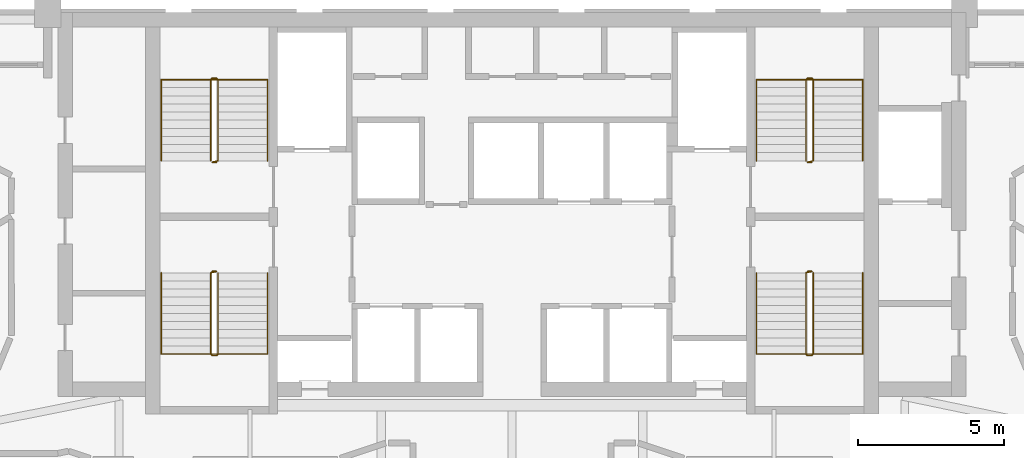
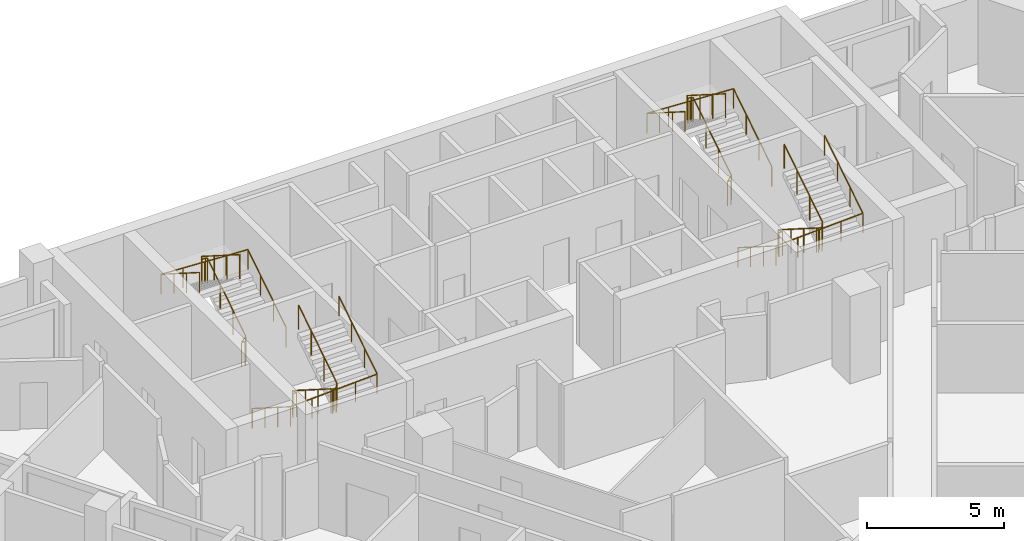
# One storey, part 10 of 10: 8 railings.
"""IFC4 building model written with IfcOpenShell, lengths in metres."""

from ifc_helpers import new_model, si_unit, direction, frame, origin, origin_2d, place, context, subcontext, project, spatial, circle, extrude, material, type_object, element, save


model = new_model("IFC4")

# Units and contexts
model_context = context("Model", 3, precision=1e-05, world=origin(), true_north=direction((0.0, 1.0)))
body_context = subcontext(model_context, "Body", "Model", "MODEL_VIEW")
ifc_project = project(units=[si_unit("LENGTHUNIT", "METRE"), si_unit("AREAUNIT", "SQUARE_METRE"), si_unit("VOLUMEUNIT", "CUBIC_METRE"), si_unit("PLANEANGLEUNIT", "RADIAN"), si_unit("MASSUNIT", "GRAM", prefix="KILO")], contexts=[model_context])

# Site, building, storey
site_placement = place(None, origin())
site = spatial("IfcSite", under=ifc_project, at=site_placement, CompositionType="ELEMENT")
building_placement = place(site_placement, origin())
building = spatial("IfcBuilding", under=site, at=building_placement, Name="Calabash Gate Tower", CompositionType="ELEMENT")
storey_placement = place(building_placement, frame((0.0, 0.0, 148.5)))
storey = spatial("IfcBuildingStorey", under=building, at=storey_placement, Name="L34", CompositionType="ELEMENT", Elevation=148.5)

# Railings
ifc_material_1 = material(Name="Black powder-coated steel balusters", Category="steel")
railing_type_1 = type_object("IfcRailingType", Name="Stair guard RL1100", PredefinedType="GUARDRAIL", material=ifc_material_1)
railing_1_placement = place(storey_placement, frame((-10.14990234375, 13.902587890625, 0.0)))
element("IfcRailing", 1, at=railing_1_placement, inside=storey, type_object=railing_type_1, Name="L34 ST1 stair guard 1", PredefinedType="GUARDRAIL", context=body_context, shape_type="SweptSolid", body=[
    extrude(circle(Radius=0.02392578125, at=origin_2d()), frame((0.0, 0.0, 1.076171875), z_axis=(-1.0, 0.0, 0.0), x_axis=(0.0, -1.0, 0.0)), (0.0, 0.0, 1.0), 0.150146484375),
    extrude(circle(Radius=0.02392578125, at=origin_2d()), frame((-0.150146484375, 0.0, 1.076171875), z_axis=(0.735524641326, 0.184105679453, 0.652003528208), x_axis=(-0.242814311512, 0.970072785993, 0.0)), (0.0, 0.0, 1.0), 0.271728515625),
    extrude(circle(Radius=0.02392578125, at=origin_2d()), frame((0.0498046875, 0.050048828125, 1.25341796875), z_axis=(0.0, 0.844041424197, 0.536277982245), x_axis=(-1.0, 0.0, 0.0)), (0.0, 0.0, 1.0), 3.3056640625),
    extrude(circle(Radius=0.02392578125, at=origin_2d()), frame((0.0498046875, 2.840087890625, 3.02587890625), z_axis=(-0.707106781187, 0.707106781187, 0.0), x_axis=(-0.707106781187, -0.707106781187, 0.0)), (0.0, 0.0, 1.0), 0.0703125),
    extrude(circle(Radius=0.02392578125, at=origin_2d()), frame((0.0, 2.889892578125, 3.02587890625), z_axis=(-1.0, 0.0, 0.0), x_axis=(0.0, -1.0, 0.0)), (0.0, 0.0, 1.0), 0.150146484375),
    extrude(circle(Radius=0.02392578125, at=origin_2d()), frame((-0.150146484375, 2.889892578125, 3.02587890625), z_axis=(-0.262321481514, -0.261041864531, 0.929001929653), x_axis=(0.705375805398, -0.708833529934, 0.0)), (0.0, 0.0, 1.0), 0.190673828125),
    extrude(circle(Radius=0.02392578125, at=origin_2d()), frame((-0.2001953125, 2.840087890625, 3.203125), z_axis=(0.0, -0.844041424197, 0.536277982245), x_axis=(1.0, 0.0, 0.0)), (0.0, 0.0, 1.0), 3.3056640625),
    extrude(circle(Radius=0.02099609375, at=origin_2d()), origin(), (0.0, 0.0, 1.0), 1.052001953125),
    extrude(circle(Radius=0.02099609375, at=origin_2d()), frame((-0.150146484375, 0.0, 0.0)), (0.0, 0.0, 1.0), 1.052001953125),
    extrude(circle(Radius=0.02099609375, at=origin_2d()), frame((0.0498046875, 0.050048828125, 0.17724609375)), (0.0, 0.0, 1.0), 1.052001953125),
    extrude(circle(Radius=0.02099609375, at=origin_2d()), frame((0.0498046875, 0.97998046875, 0.76806640625)), (0.0, 0.0, 1.0), 1.052001953125),
    extrude(circle(Radius=0.02099609375, at=origin_2d()), frame((0.0498046875, 1.91015625, 1.359130859375)), (0.0, 0.0, 1.0), 1.052001953125),
    extrude(circle(Radius=0.02099609375, at=origin_2d()), frame((0.0498046875, 2.840087890625, 1.949951171875)), (0.0, 0.0, 1.0), 1.052001953125),
    extrude(circle(Radius=0.02099609375, at=origin_2d()), frame((0.0, 2.889892578125, 1.949951171875)), (0.0, 0.0, 1.0), 1.052001953125),
    extrude(circle(Radius=0.02099609375, at=origin_2d()), frame((-0.150146484375, 2.889892578125, 1.949951171875)), (0.0, 0.0, 1.0), 1.052001953125),
    extrude(circle(Radius=0.02099609375, at=origin_2d()), frame((-0.2001953125, 2.840087890625, 2.127197265625)), (0.0, 0.0, 1.0), 1.052001953125),
    extrude(circle(Radius=0.02099609375, at=origin_2d()), frame((-0.2001953125, 1.91015625, 2.718017578125)), (0.0, 0.0, 1.0), 1.052001953125),
    extrude(circle(Radius=0.02099609375, at=origin_2d()), frame((-0.2001953125, 0.97998046875, 3.30908203125)), (0.0, 0.0, 1.0), 1.052001953125),
    extrude(circle(Radius=0.02099609375, at=origin_2d()), frame((-0.2001953125, 0.050048828125, 3.89990234375)), (0.0, 0.0, 1.0), 1.052001953125),
])
railing_2_placement = place(storey_placement, frame((-10.300048828125, 10.152587890625, 0.0)))
element("IfcRailing", 2, at=railing_2_placement, inside=storey, type_object=railing_type_1, Name="L34 ST2 stair guard 1", PredefinedType="GUARDRAIL", context=body_context, shape_type="SweptSolid", body=[
    extrude(circle(Radius=0.02392578125, at=origin_2d()), frame((0.0, 0.0, 1.076171875), z_axis=(1.0, 0.0, 0.0), x_axis=(0.0, 1.0, 0.0)), (0.0, 0.0, 1.0), 0.150146484375),
    extrude(circle(Radius=0.02392578125, at=origin_2d()), frame((0.150146484375, 0.0, 1.076171875), z_axis=(-0.735936453418, -0.183984113355, 0.651573006319), x_axis=(0.242535625036, -0.970142500145, 0.0)), (0.0, 0.0, 1.0), 0.27197265625),
    extrude(circle(Radius=0.02392578125, at=origin_2d()), frame((-0.050048828125, -0.050048828125, 1.25341796875), z_axis=(0.0, -0.844041424197, 0.536277982245), x_axis=(1.0, 0.0, 0.0)), (0.0, 0.0, 1.0), 3.3056640625),
    extrude(circle(Radius=0.02392578125, at=origin_2d()), frame((-0.050048828125, -2.840087890625, 3.02587890625), z_axis=(0.708833529934, -0.705375805398, 0.0), x_axis=(0.705375805398, 0.708833529934, 0.0)), (0.0, 0.0, 1.0), 0.070556640625),
    extrude(circle(Radius=0.02392578125, at=origin_2d()), frame((0.0, -2.889892578125, 3.02587890625), z_axis=(1.0, 0.0, 0.0), x_axis=(0.0, 1.0, 0.0)), (0.0, 0.0, 1.0), 0.150146484375),
    extrude(circle(Radius=0.02392578125, at=origin_2d()), frame((0.150146484375, -2.889892578125, 3.02587890625), z_axis=(0.261129318932, 0.261129318932, 0.929313164433), x_axis=(-0.707106781187, 0.707106781187, 0.0)), (0.0, 0.0, 1.0), 0.190673828125),
    extrude(circle(Radius=0.02392578125, at=origin_2d()), frame((0.199951171875, -2.840087890625, 3.203125), z_axis=(0.0, 0.844041424197, 0.536277982245), x_axis=(-1.0, 0.0, 0.0)), (0.0, 0.0, 1.0), 3.3056640625),
    extrude(circle(Radius=0.02099609375, at=origin_2d()), origin(), (0.0, 0.0, 1.0), 1.052001953125),
    extrude(circle(Radius=0.02099609375, at=origin_2d()), frame((0.150146484375, 0.0, 0.0)), (0.0, 0.0, 1.0), 1.052001953125),
    extrude(circle(Radius=0.02099609375, at=origin_2d()), frame((-0.050048828125, -0.050048828125, 0.17724609375)), (0.0, 0.0, 1.0), 1.052001953125),
    extrude(circle(Radius=0.02099609375, at=origin_2d()), frame((-0.050048828125, -0.97998046875, 0.76806640625)), (0.0, 0.0, 1.0), 1.052001953125),
    extrude(circle(Radius=0.02099609375, at=origin_2d()), frame((-0.050048828125, -1.91015625, 1.359130859375)), (0.0, 0.0, 1.0), 1.052001953125),
    extrude(circle(Radius=0.02099609375, at=origin_2d()), frame((-0.050048828125, -2.840087890625, 1.949951171875)), (0.0, 0.0, 1.0), 1.052001953125),
    extrude(circle(Radius=0.02099609375, at=origin_2d()), frame((0.0, -2.889892578125, 1.949951171875)), (0.0, 0.0, 1.0), 1.052001953125),
    extrude(circle(Radius=0.02099609375, at=origin_2d()), frame((0.150146484375, -2.889892578125, 1.949951171875)), (0.0, 0.0, 1.0), 1.052001953125),
    extrude(circle(Radius=0.02099609375, at=origin_2d()), frame((0.199951171875, -2.840087890625, 2.127197265625)), (0.0, 0.0, 1.0), 1.052001953125),
    extrude(circle(Radius=0.02099609375, at=origin_2d()), frame((0.199951171875, -1.91015625, 2.718017578125)), (0.0, 0.0, 1.0), 1.052001953125),
    extrude(circle(Radius=0.02099609375, at=origin_2d()), frame((0.199951171875, -0.97998046875, 3.30908203125)), (0.0, 0.0, 1.0), 1.052001953125),
    extrude(circle(Radius=0.02099609375, at=origin_2d()), frame((0.199951171875, -0.050048828125, 3.89990234375)), (0.0, 0.0, 1.0), 1.052001953125),
])
railing_3_placement = place(storey_placement, frame((10.300048828125, 13.902587890625, 0.0)))
element("IfcRailing", 3, at=railing_3_placement, inside=storey, type_object=railing_type_1, Name="L34 ST3 stair guard 1", PredefinedType="GUARDRAIL", context=body_context, shape_type="SweptSolid", body=[
    extrude(circle(Radius=0.02392578125, at=origin_2d()), frame((0.0, 0.0, 1.076171875), z_axis=(-1.0, 0.0, 0.0), x_axis=(0.0, -1.0, 0.0)), (0.0, 0.0, 1.0), 0.150146484375),
    extrude(circle(Radius=0.02392578125, at=origin_2d()), frame((-0.150146484375, 0.0, 1.076171875), z_axis=(0.735936453418, 0.183984113355, 0.651573006319), x_axis=(-0.242535625036, 0.970142500145, 0.0)), (0.0, 0.0, 1.0), 0.27197265625),
    extrude(circle(Radius=0.02392578125, at=origin_2d()), frame((0.050048828125, 0.050048828125, 1.25341796875), z_axis=(0.0, 0.844041424197, 0.536277982245), x_axis=(-1.0, 0.0, 0.0)), (0.0, 0.0, 1.0), 3.3056640625),
    extrude(circle(Radius=0.02392578125, at=origin_2d()), frame((0.050048828125, 2.840087890625, 3.02587890625), z_axis=(-0.708833529934, 0.705375805398, 0.0), x_axis=(-0.705375805398, -0.708833529934, 0.0)), (0.0, 0.0, 1.0), 0.070556640625),
    extrude(circle(Radius=0.02392578125, at=origin_2d()), frame((0.0, 2.889892578125, 3.02587890625), z_axis=(-1.0, 0.0, 0.0), x_axis=(0.0, -1.0, 0.0)), (0.0, 0.0, 1.0), 0.150146484375),
    extrude(circle(Radius=0.02392578125, at=origin_2d()), frame((-0.150146484375, 2.889892578125, 3.02587890625), z_axis=(-0.261129318932, -0.261129318932, 0.929313164433), x_axis=(0.707106781187, -0.707106781187, 0.0)), (0.0, 0.0, 1.0), 0.190673828125),
    extrude(circle(Radius=0.02392578125, at=origin_2d()), frame((-0.199951171875, 2.840087890625, 3.203125), z_axis=(0.0, -0.844041424197, 0.536277982245), x_axis=(1.0, 0.0, 0.0)), (0.0, 0.0, 1.0), 3.3056640625),
    extrude(circle(Radius=0.02099609375, at=origin_2d()), origin(), (0.0, 0.0, 1.0), 1.052001953125),
    extrude(circle(Radius=0.02099609375, at=origin_2d()), frame((-0.150146484375, 0.0, 0.0)), (0.0, 0.0, 1.0), 1.052001953125),
    extrude(circle(Radius=0.02099609375, at=origin_2d()), frame((0.050048828125, 0.050048828125, 0.17724609375)), (0.0, 0.0, 1.0), 1.052001953125),
    extrude(circle(Radius=0.02099609375, at=origin_2d()), frame((0.050048828125, 0.97998046875, 0.76806640625)), (0.0, 0.0, 1.0), 1.052001953125),
    extrude(circle(Radius=0.02099609375, at=origin_2d()), frame((0.050048828125, 1.91015625, 1.359130859375)), (0.0, 0.0, 1.0), 1.052001953125),
    extrude(circle(Radius=0.02099609375, at=origin_2d()), frame((0.050048828125, 2.840087890625, 1.949951171875)), (0.0, 0.0, 1.0), 1.052001953125),
    extrude(circle(Radius=0.02099609375, at=origin_2d()), frame((0.0, 2.889892578125, 1.949951171875)), (0.0, 0.0, 1.0), 1.052001953125),
    extrude(circle(Radius=0.02099609375, at=origin_2d()), frame((-0.150146484375, 2.889892578125, 1.949951171875)), (0.0, 0.0, 1.0), 1.052001953125),
    extrude(circle(Radius=0.02099609375, at=origin_2d()), frame((-0.199951171875, 2.840087890625, 2.127197265625)), (0.0, 0.0, 1.0), 1.052001953125),
    extrude(circle(Radius=0.02099609375, at=origin_2d()), frame((-0.199951171875, 1.91015625, 2.718017578125)), (0.0, 0.0, 1.0), 1.052001953125),
    extrude(circle(Radius=0.02099609375, at=origin_2d()), frame((-0.199951171875, 0.97998046875, 3.30908203125)), (0.0, 0.0, 1.0), 1.052001953125),
    extrude(circle(Radius=0.02099609375, at=origin_2d()), frame((-0.199951171875, 0.050048828125, 3.89990234375)), (0.0, 0.0, 1.0), 1.052001953125),
])
railing_4_placement = place(storey_placement, frame((10.14990234375, 10.152587890625, 0.0)))
element("IfcRailing", 4, at=railing_4_placement, inside=storey, type_object=railing_type_1, Name="L34 ST4 stair guard 1", PredefinedType="GUARDRAIL", context=body_context, shape_type="SweptSolid", body=[
    extrude(circle(Radius=0.02392578125, at=origin_2d()), frame((0.0, 0.0, 1.076171875), z_axis=(1.0, 0.0, 0.0), x_axis=(0.0, 1.0, 0.0)), (0.0, 0.0, 1.0), 0.150146484375),
    extrude(circle(Radius=0.02392578125, at=origin_2d()), frame((0.150146484375, 0.0, 1.076171875), z_axis=(-0.735524641326, -0.184105679453, 0.652003528208), x_axis=(0.242814311512, -0.970072785993, 0.0)), (0.0, 0.0, 1.0), 0.271728515625),
    extrude(circle(Radius=0.02392578125, at=origin_2d()), frame((-0.0498046875, -0.050048828125, 1.25341796875), z_axis=(0.0, -0.844041424197, 0.536277982245), x_axis=(1.0, 0.0, 0.0)), (0.0, 0.0, 1.0), 3.3056640625),
    extrude(circle(Radius=0.02392578125, at=origin_2d()), frame((-0.0498046875, -2.840087890625, 3.02587890625), z_axis=(0.707106781187, -0.707106781187, 0.0), x_axis=(0.707106781187, 0.707106781187, 0.0)), (0.0, 0.0, 1.0), 0.0703125),
    extrude(circle(Radius=0.02392578125, at=origin_2d()), frame((0.0, -2.889892578125, 3.02587890625), z_axis=(1.0, 0.0, 0.0), x_axis=(0.0, 1.0, 0.0)), (0.0, 0.0, 1.0), 0.150146484375),
    extrude(circle(Radius=0.02392578125, at=origin_2d()), frame((0.150146484375, -2.889892578125, 3.02587890625), z_axis=(0.262321481514, 0.261041864531, 0.929001929653), x_axis=(-0.705375805398, 0.708833529934, 0.0)), (0.0, 0.0, 1.0), 0.190673828125),
    extrude(circle(Radius=0.02392578125, at=origin_2d()), frame((0.2001953125, -2.840087890625, 3.203125), z_axis=(0.0, 0.844041424197, 0.536277982245), x_axis=(-1.0, 0.0, 0.0)), (0.0, 0.0, 1.0), 3.3056640625),
    extrude(circle(Radius=0.02099609375, at=origin_2d()), origin(), (0.0, 0.0, 1.0), 1.052001953125),
    extrude(circle(Radius=0.02099609375, at=origin_2d()), frame((0.150146484375, 0.0, 0.0)), (0.0, 0.0, 1.0), 1.052001953125),
    extrude(circle(Radius=0.02099609375, at=origin_2d()), frame((-0.0498046875, -0.050048828125, 0.17724609375)), (0.0, 0.0, 1.0), 1.052001953125),
    extrude(circle(Radius=0.02099609375, at=origin_2d()), frame((-0.0498046875, -0.97998046875, 0.76806640625)), (0.0, 0.0, 1.0), 1.052001953125),
    extrude(circle(Radius=0.02099609375, at=origin_2d()), frame((-0.0498046875, -1.91015625, 1.359130859375)), (0.0, 0.0, 1.0), 1.052001953125),
    extrude(circle(Radius=0.02099609375, at=origin_2d()), frame((-0.0498046875, -2.840087890625, 1.949951171875)), (0.0, 0.0, 1.0), 1.052001953125),
    extrude(circle(Radius=0.02099609375, at=origin_2d()), frame((0.0, -2.889892578125, 1.949951171875)), (0.0, 0.0, 1.0), 1.052001953125),
    extrude(circle(Radius=0.02099609375, at=origin_2d()), frame((0.150146484375, -2.889892578125, 1.949951171875)), (0.0, 0.0, 1.0), 1.052001953125),
    extrude(circle(Radius=0.02099609375, at=origin_2d()), frame((0.2001953125, -2.840087890625, 2.127197265625)), (0.0, 0.0, 1.0), 1.052001953125),
    extrude(circle(Radius=0.02099609375, at=origin_2d()), frame((0.2001953125, -1.91015625, 2.718017578125)), (0.0, 0.0, 1.0), 1.052001953125),
    extrude(circle(Radius=0.02099609375, at=origin_2d()), frame((0.2001953125, -0.97998046875, 3.30908203125)), (0.0, 0.0, 1.0), 1.052001953125),
    extrude(circle(Radius=0.02099609375, at=origin_2d()), frame((0.2001953125, -0.050048828125, 3.89990234375)), (0.0, 0.0, 1.0), 1.052001953125),
])
ifc_material_2 = material(Name="Black powder-coated steel tube 48 mm", Category="steel")
railing_type_2 = type_object("IfcRailingType", Name="Stair handrail RL900", PredefinedType="HANDRAIL", material=ifc_material_2)
railing_5_placement = place(storey_placement, frame((-8.39990234375, 13.95263671875, 0.17724609375)))
element("IfcRailing", 5, at=railing_5_placement, inside=storey, type_object=railing_type_2, Name="L34 ST1 stair handrail 1", PredefinedType="HANDRAIL", context=body_context, shape_type="SweptSolid", body=[
    extrude(circle(Radius=0.02392578125, at=origin_2d()), frame((0.0, 0.0, 0.8759765625), z_axis=(0.0, 0.844041424197, 0.536277982245), x_axis=(-1.0, 0.0, 0.0)), (0.0, 0.0, 1.0), 3.3056640625),
    extrude(circle(Radius=0.02392578125, at=origin_2d()), frame((0.0, 2.7900390625, 2.6484375), z_axis=(-0.998823110844, 0.0, 0.048501476722), x_axis=(0.0, -1.0, 0.0)), (0.0, 0.0, 1.0), 3.654541015625),
    extrude(circle(Radius=0.02392578125, at=origin_2d()), frame((-3.650146484375, 2.7900390625, 2.82568359375), z_axis=(0.0, -0.844041424197, 0.536277982245), x_axis=(1.0, 0.0, 0.0)), (0.0, 0.0, 1.0), 3.3056640625),
    extrude(circle(Radius=0.02099609375, at=origin_2d()), origin(), (0.0, 0.0, 1.0), 0.851806640625),
    extrude(circle(Radius=0.02099609375, at=origin_2d()), frame((0.0, 0.929931640625, 0.5908203125)), (0.0, 0.0, 1.0), 0.851806640625),
    extrude(circle(Radius=0.02099609375, at=origin_2d()), frame((0.0, 1.860107421875, 1.181884765625)), (0.0, 0.0, 1.0), 0.851806640625),
    extrude(circle(Radius=0.02099609375, at=origin_2d()), frame((0.0, 2.7900390625, 1.772705078125)), (0.0, 0.0, 1.0), 0.851806640625),
    extrude(circle(Radius=0.02099609375, at=origin_2d()), frame((-0.91259765625, 2.7900390625, 1.81689453125)), (0.0, 0.0, 1.0), 0.851806640625),
    extrude(circle(Radius=0.02099609375, at=origin_2d()), frame((-1.8251953125, 2.7900390625, 1.861328125)), (0.0, 0.0, 1.0), 0.851806640625),
    extrude(circle(Radius=0.02099609375, at=origin_2d()), frame((-2.737548828125, 2.7900390625, 1.90576171875)), (0.0, 0.0, 1.0), 0.851806640625),
    extrude(circle(Radius=0.02099609375, at=origin_2d()), frame((-3.650146484375, 2.7900390625, 1.949951171875)), (0.0, 0.0, 1.0), 0.851806640625),
    extrude(circle(Radius=0.02099609375, at=origin_2d()), frame((-3.650146484375, 1.860107421875, 2.540771484375)), (0.0, 0.0, 1.0), 0.851806640625),
    extrude(circle(Radius=0.02099609375, at=origin_2d()), frame((-3.650146484375, 0.929931640625, 3.1318359375)), (0.0, 0.0, 1.0), 0.851806640625),
    extrude(circle(Radius=0.02099609375, at=origin_2d()), frame((-3.650146484375, 0.0, 3.72265625)), (0.0, 0.0, 1.0), 0.851806640625),
])
railing_6_placement = place(storey_placement, frame((-12.050048828125, 10.1025390625, 0.17724609375)))
element("IfcRailing", 6, at=railing_6_placement, inside=storey, type_object=railing_type_2, Name="L34 ST2 stair handrail 1", PredefinedType="HANDRAIL", context=body_context, shape_type="SweptSolid", body=[
    extrude(circle(Radius=0.02392578125, at=origin_2d()), frame((0.0, 0.0, 0.8759765625), z_axis=(0.0, -0.844041424197, 0.536277982245), x_axis=(1.0, 0.0, 0.0)), (0.0, 0.0, 1.0), 3.3056640625),
    extrude(circle(Radius=0.02392578125, at=origin_2d()), frame((0.0, -2.7900390625, 2.6484375), z_axis=(0.998823110844, 0.0, 0.048501476722), x_axis=(0.0, 1.0, 0.0)), (0.0, 0.0, 1.0), 3.654541015625),
    extrude(circle(Radius=0.02392578125, at=origin_2d()), frame((3.650146484375, -2.7900390625, 2.82568359375), z_axis=(0.0, 0.844041424197, 0.536277982245), x_axis=(-1.0, 0.0, 0.0)), (0.0, 0.0, 1.0), 3.3056640625),
    extrude(circle(Radius=0.02099609375, at=origin_2d()), origin(), (0.0, 0.0, 1.0), 0.851806640625),
    extrude(circle(Radius=0.02099609375, at=origin_2d()), frame((0.0, -0.929931640625, 0.5908203125)), (0.0, 0.0, 1.0), 0.851806640625),
    extrude(circle(Radius=0.02099609375, at=origin_2d()), frame((0.0, -1.860107421875, 1.181884765625)), (0.0, 0.0, 1.0), 0.851806640625),
    extrude(circle(Radius=0.02099609375, at=origin_2d()), frame((0.0, -2.7900390625, 1.772705078125)), (0.0, 0.0, 1.0), 0.851806640625),
    extrude(circle(Radius=0.02099609375, at=origin_2d()), frame((0.91259765625, -2.7900390625, 1.81689453125)), (0.0, 0.0, 1.0), 0.851806640625),
    extrude(circle(Radius=0.02099609375, at=origin_2d()), frame((1.8251953125, -2.7900390625, 1.861328125)), (0.0, 0.0, 1.0), 0.851806640625),
    extrude(circle(Radius=0.02099609375, at=origin_2d()), frame((2.737548828125, -2.7900390625, 1.90576171875)), (0.0, 0.0, 1.0), 0.851806640625),
    extrude(circle(Radius=0.02099609375, at=origin_2d()), frame((3.650146484375, -2.7900390625, 1.949951171875)), (0.0, 0.0, 1.0), 0.851806640625),
    extrude(circle(Radius=0.02099609375, at=origin_2d()), frame((3.650146484375, -1.860107421875, 2.540771484375)), (0.0, 0.0, 1.0), 0.851806640625),
    extrude(circle(Radius=0.02099609375, at=origin_2d()), frame((3.650146484375, -0.929931640625, 3.1318359375)), (0.0, 0.0, 1.0), 0.851806640625),
    extrude(circle(Radius=0.02099609375, at=origin_2d()), frame((3.650146484375, 0.0, 3.72265625)), (0.0, 0.0, 1.0), 0.851806640625),
])
railing_7_placement = place(storey_placement, frame((12.050048828125, 13.95263671875, 0.17724609375)))
element("IfcRailing", 7, at=railing_7_placement, inside=storey, type_object=railing_type_2, Name="L34 ST3 stair handrail 1", PredefinedType="HANDRAIL", context=body_context, shape_type="SweptSolid", body=[
    extrude(circle(Radius=0.02392578125, at=origin_2d()), frame((0.0, 0.0, 0.8759765625), z_axis=(0.0, 0.844041424197, 0.536277982245), x_axis=(-1.0, 0.0, 0.0)), (0.0, 0.0, 1.0), 3.3056640625),
    extrude(circle(Radius=0.02392578125, at=origin_2d()), frame((0.0, 2.7900390625, 2.6484375), z_axis=(-0.998823110844, 0.0, 0.048501476722), x_axis=(0.0, -1.0, 0.0)), (0.0, 0.0, 1.0), 3.654541015625),
    extrude(circle(Radius=0.02392578125, at=origin_2d()), frame((-3.650146484375, 2.7900390625, 2.82568359375), z_axis=(0.0, -0.844041424197, 0.536277982245), x_axis=(1.0, 0.0, 0.0)), (0.0, 0.0, 1.0), 3.3056640625),
    extrude(circle(Radius=0.02099609375, at=origin_2d()), origin(), (0.0, 0.0, 1.0), 0.851806640625),
    extrude(circle(Radius=0.02099609375, at=origin_2d()), frame((0.0, 0.929931640625, 0.5908203125)), (0.0, 0.0, 1.0), 0.851806640625),
    extrude(circle(Radius=0.02099609375, at=origin_2d()), frame((0.0, 1.860107421875, 1.181884765625)), (0.0, 0.0, 1.0), 0.851806640625),
    extrude(circle(Radius=0.02099609375, at=origin_2d()), frame((0.0, 2.7900390625, 1.772705078125)), (0.0, 0.0, 1.0), 0.851806640625),
    extrude(circle(Radius=0.02099609375, at=origin_2d()), frame((-0.91259765625, 2.7900390625, 1.81689453125)), (0.0, 0.0, 1.0), 0.851806640625),
    extrude(circle(Radius=0.02099609375, at=origin_2d()), frame((-1.8251953125, 2.7900390625, 1.861328125)), (0.0, 0.0, 1.0), 0.851806640625),
    extrude(circle(Radius=0.02099609375, at=origin_2d()), frame((-2.737548828125, 2.7900390625, 1.90576171875)), (0.0, 0.0, 1.0), 0.851806640625),
    extrude(circle(Radius=0.02099609375, at=origin_2d()), frame((-3.650146484375, 2.7900390625, 1.949951171875)), (0.0, 0.0, 1.0), 0.851806640625),
    extrude(circle(Radius=0.02099609375, at=origin_2d()), frame((-3.650146484375, 1.860107421875, 2.540771484375)), (0.0, 0.0, 1.0), 0.851806640625),
    extrude(circle(Radius=0.02099609375, at=origin_2d()), frame((-3.650146484375, 0.929931640625, 3.1318359375)), (0.0, 0.0, 1.0), 0.851806640625),
    extrude(circle(Radius=0.02099609375, at=origin_2d()), frame((-3.650146484375, 0.0, 3.72265625)), (0.0, 0.0, 1.0), 0.851806640625),
])
railing_8_placement = place(storey_placement, frame((8.39990234375, 10.1025390625, 0.17724609375)))
element("IfcRailing", 8, at=railing_8_placement, inside=storey, type_object=railing_type_2, Name="L34 ST4 stair handrail 1", PredefinedType="HANDRAIL", context=body_context, shape_type="SweptSolid", body=[
    extrude(circle(Radius=0.02392578125, at=origin_2d()), frame((0.0, 0.0, 0.8759765625), z_axis=(0.0, -0.844041424197, 0.536277982245), x_axis=(1.0, 0.0, 0.0)), (0.0, 0.0, 1.0), 3.3056640625),
    extrude(circle(Radius=0.02392578125, at=origin_2d()), frame((0.0, -2.7900390625, 2.6484375), z_axis=(0.998823110844, 0.0, 0.048501476722), x_axis=(0.0, 1.0, 0.0)), (0.0, 0.0, 1.0), 3.654541015625),
    extrude(circle(Radius=0.02392578125, at=origin_2d()), frame((3.650146484375, -2.7900390625, 2.82568359375), z_axis=(0.0, 0.844041424197, 0.536277982245), x_axis=(-1.0, 0.0, 0.0)), (0.0, 0.0, 1.0), 3.3056640625),
    extrude(circle(Radius=0.02099609375, at=origin_2d()), origin(), (0.0, 0.0, 1.0), 0.851806640625),
    extrude(circle(Radius=0.02099609375, at=origin_2d()), frame((0.0, -0.929931640625, 0.5908203125)), (0.0, 0.0, 1.0), 0.851806640625),
    extrude(circle(Radius=0.02099609375, at=origin_2d()), frame((0.0, -1.860107421875, 1.181884765625)), (0.0, 0.0, 1.0), 0.851806640625),
    extrude(circle(Radius=0.02099609375, at=origin_2d()), frame((0.0, -2.7900390625, 1.772705078125)), (0.0, 0.0, 1.0), 0.851806640625),
    extrude(circle(Radius=0.02099609375, at=origin_2d()), frame((0.91259765625, -2.7900390625, 1.81689453125)), (0.0, 0.0, 1.0), 0.851806640625),
    extrude(circle(Radius=0.02099609375, at=origin_2d()), frame((1.8251953125, -2.7900390625, 1.861328125)), (0.0, 0.0, 1.0), 0.851806640625),
    extrude(circle(Radius=0.02099609375, at=origin_2d()), frame((2.737548828125, -2.7900390625, 1.90576171875)), (0.0, 0.0, 1.0), 0.851806640625),
    extrude(circle(Radius=0.02099609375, at=origin_2d()), frame((3.650146484375, -2.7900390625, 1.949951171875)), (0.0, 0.0, 1.0), 0.851806640625),
    extrude(circle(Radius=0.02099609375, at=origin_2d()), frame((3.650146484375, -1.860107421875, 2.540771484375)), (0.0, 0.0, 1.0), 0.851806640625),
    extrude(circle(Radius=0.02099609375, at=origin_2d()), frame((3.650146484375, -0.929931640625, 3.1318359375)), (0.0, 0.0, 1.0), 0.851806640625),
    extrude(circle(Radius=0.02099609375, at=origin_2d()), frame((3.650146484375, 0.0, 3.72265625)), (0.0, 0.0, 1.0), 0.851806640625),
])

save(model, "model.ifc")
